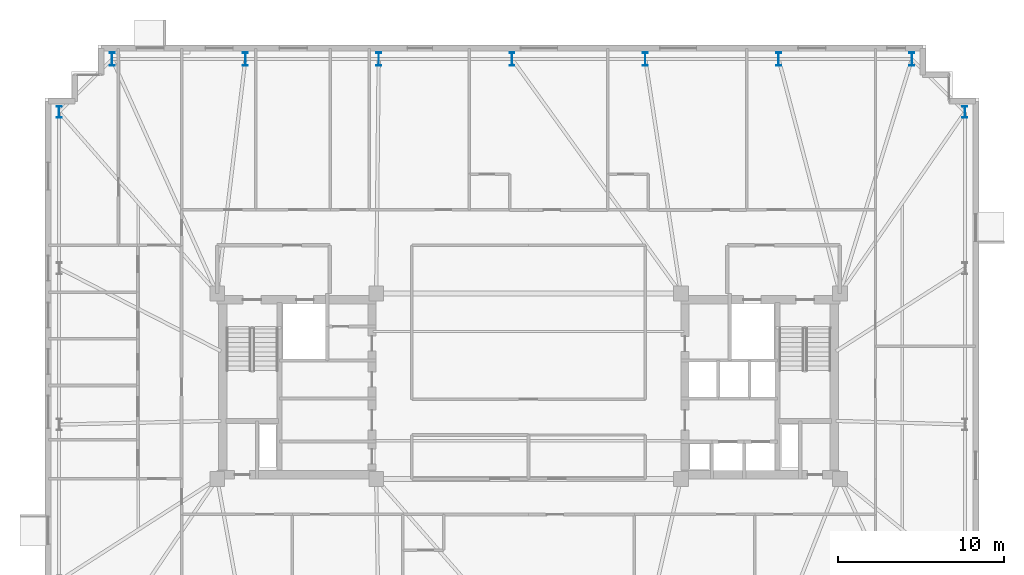
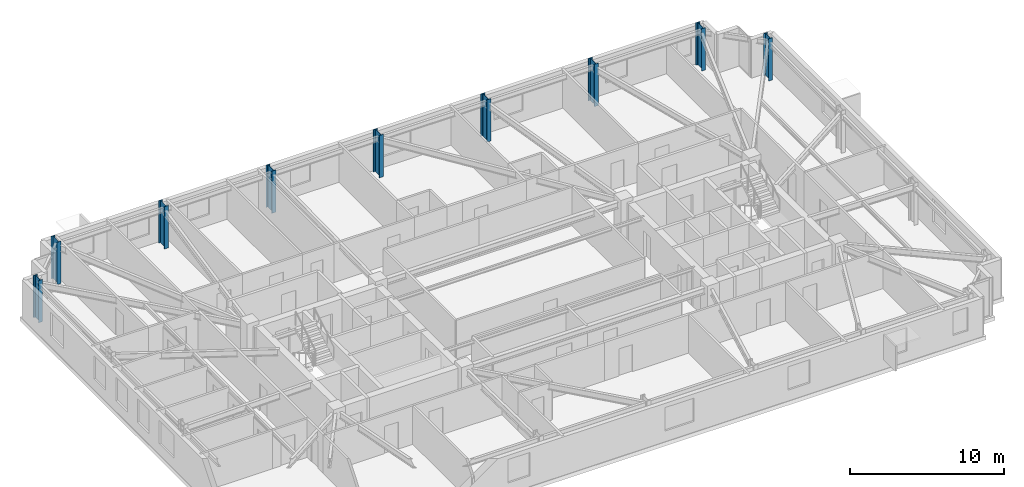
# One storey, part 2 of 17: 9 columns.
"""IFC4 building model written with IfcOpenShell, lengths in metres."""

from ifc_helpers import new_model, si_unit, direction, frame, origin, origin_2d, place, context, subcontext, project, spatial, i_section, extrude, material, material_profile, profile_set, type_object, element, save


model = new_model("IFC4")

# Units and contexts
model_context = context("Model", 3, precision=1e-05, world=origin(), true_north=direction((0.0, 1.0)))
body_context = subcontext(model_context, "Body", "Model", "MODEL_VIEW")
ifc_project = project(units=[si_unit("LENGTHUNIT", "METRE"), si_unit("AREAUNIT", "SQUARE_METRE"), si_unit("VOLUMEUNIT", "CUBIC_METRE"), si_unit("PLANEANGLEUNIT", "RADIAN"), si_unit("MASSUNIT", "GRAM", prefix="KILO")], contexts=[model_context])

# Site, building, storey
site_placement = place(None, origin())
site = spatial("IfcSite", under=ifc_project, at=site_placement, CompositionType="ELEMENT")
building_placement = place(site_placement, origin())
building = spatial("IfcBuilding", under=site, at=building_placement, Name="Qobustan Lattice House", CompositionType="ELEMENT")
storey_placement = place(building_placement, frame((0.0, 0.0, 164.5)))
storey = spatial("IfcBuildingStorey", under=building, at=storey_placement, Name="L46", CompositionType="ELEMENT", Elevation=164.5)

# Columns
ifc_material_1 = material(Name="Steel S355", Category="steel")
ifc_material_profile_1 = material_profile(ifc_material_1, i_section(OverallWidth=0.300048828125, OverallDepth=0.699951171875, WebThickness=0.01708984375, FlangeThickness=0.031982421875, FilletRadius=0.027099609375, at=origin_2d()), Name="HEB700")
ifc_profile_set_1 = profile_set([ifc_material_profile_1], Name="Steel S355")
column_type_1 = type_object("IfcColumnType", Name="COL-ST-HEB700", PredefinedType="COLUMN", material=ifc_profile_set_1)
for number, where, z_axis, x_axis, name in (
    (1, (26.35009765625, 16.550048828125, 0.0), (0.0, 0.0, 1.0), (1.0, 0.0, 0.0), "L46 B3 perimeter column E4"),
    (2, (-28.35009765625, 16.550048828125, 0.0), (0.0, 0.0, 1.0), (1.0, 0.0, 0.0), "L46 B3 perimeter column W1"),
):
    element("IfcColumn", number, at=place(storey_placement, frame(where, z_axis=z_axis, x_axis=x_axis)), inside=storey, type_object=column_type_1, Name=name, PredefinedType="COLUMN", context=body_context, shape_type="SweptSolid", body=[
        extrude(i_section(OverallWidth=0.300048828125, OverallDepth=0.699951171875, WebThickness=0.01708984375, FlangeThickness=0.031982421875, FilletRadius=0.027099609375, at=origin_2d()), origin(), (0.0, 0.0, 1.0), 3.35009765625),
    ])
ifc_material_2 = material(Name="Steel S355", Category="steel")
ifc_material_profile_2 = material_profile(ifc_material_2, i_section(OverallWidth=0.300048828125, OverallDepth=0.800048828125, WebThickness=0.017578125, FlangeThickness=0.032958984375, FilletRadius=0.030029296875, at=origin_2d()), Name="HEB800")
ifc_profile_set_2 = profile_set([ifc_material_profile_2], Name="Steel S355")
column_type_2 = type_object("IfcColumnType", Name="COL-ST-HEB800", PredefinedType="COLUMN", material=ifc_profile_set_2)
for number, where, z_axis, x_axis, name in (
    (3, (23.14990234375, 19.75, 0.0), (0.0, 0.0, 1.0), (1.0, 0.0, 0.0), "L46 B3 perimeter column N1"),
    (4, (15.10009765625, 19.75, 0.0), (0.0, 0.0, 1.0), (1.0, 0.0, 0.0), "L46 B3 perimeter column N2"),
    (5, (7.050048828125, 19.75, 0.0), (0.0, 0.0, 1.0), (1.0, 0.0, 0.0), "L46 B3 perimeter column N3"),
    (6, (-1.0, 19.75, 0.0), (0.0, 0.0, 1.0), (1.0, 0.0, 0.0), "L46 B3 perimeter column N4"),
    (7, (-9.050048828125, 19.75, 0.0), (0.0, 0.0, 1.0), (1.0, 0.0, 0.0), "L46 B3 perimeter column N5"),
    (8, (-17.10009765625, 19.75, 0.0), (0.0, 0.0, 1.0), (1.0, 0.0, 0.0), "L46 B3 perimeter column N6"),
    (9, (-25.14990234375, 19.75, 0.0), (0.0, 0.0, 1.0), (1.0, 0.0, 0.0), "L46 B3 perimeter column N7"),
):
    element("IfcColumn", number, at=place(storey_placement, frame(where, z_axis=z_axis, x_axis=x_axis)), inside=storey, type_object=column_type_2, Name=name, PredefinedType="COLUMN", context=body_context, shape_type="SweptSolid", body=[
        extrude(i_section(OverallWidth=0.300048828125, OverallDepth=0.800048828125, WebThickness=0.017578125, FlangeThickness=0.032958984375, FilletRadius=0.030029296875, at=origin_2d()), origin(), (0.0, 0.0, 1.0), 3.35009765625),
    ])

save(model, "model.ifc")
